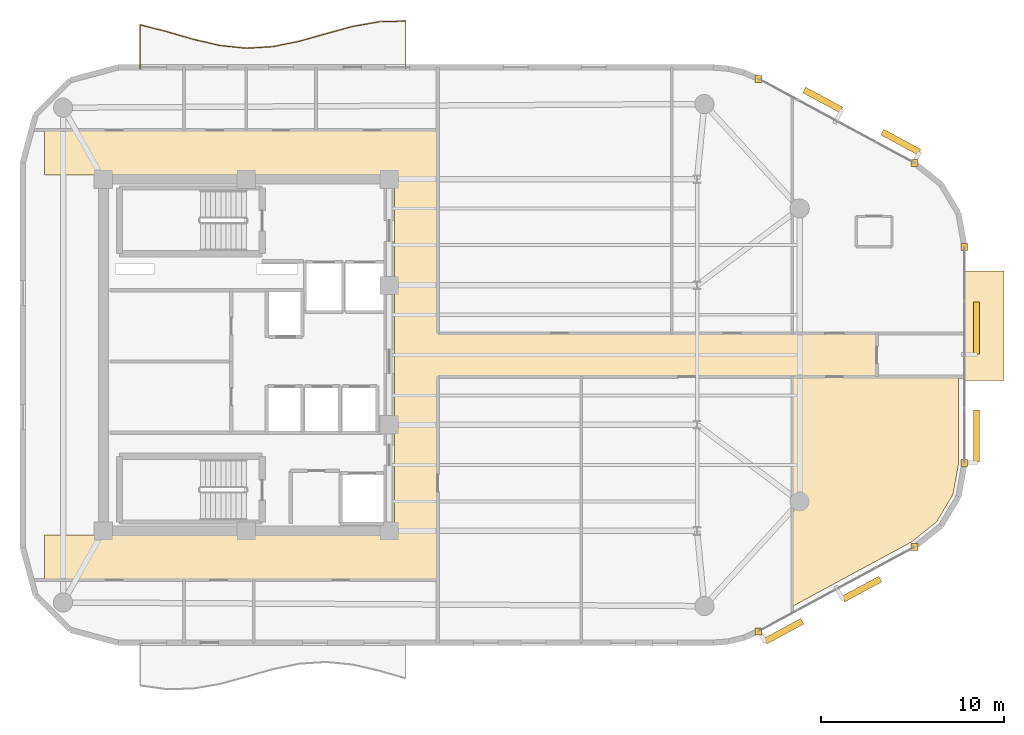
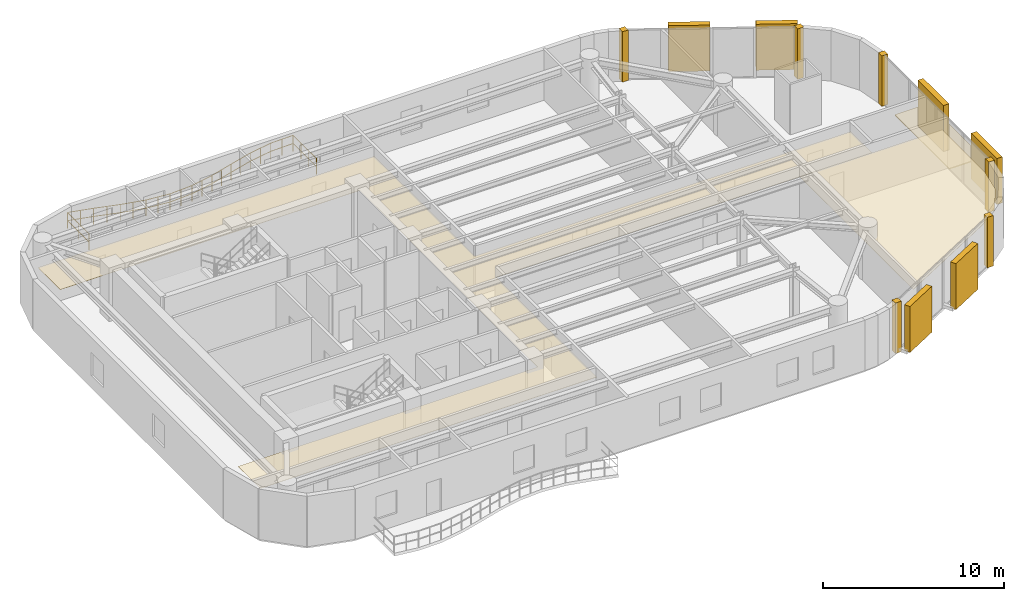
# One storey, part 13 of 13: 9 coverings, 6 shading devices, 1 railing.
"""IFC4 building model written with IfcOpenShell, lengths in metres."""

from ifc_helpers import new_model, si_unit, direction, frame, origin, origin_2d, place, context, subcontext, project, spatial, polyline, rectangle, circle, outline, extrude, material, layer, layer_set, type_object, element, save


model = new_model("IFC4")

# Units and contexts
model_context = context("Model", 3, precision=1e-05, world=origin(), true_north=direction((0.0, 1.0)))
body_context = subcontext(model_context, "Body", "Model", "MODEL_VIEW")
ifc_project = project(units=[si_unit("LENGTHUNIT", "METRE"), si_unit("AREAUNIT", "SQUARE_METRE"), si_unit("VOLUMEUNIT", "CUBIC_METRE"), si_unit("PLANEANGLEUNIT", "RADIAN"), si_unit("MASSUNIT", "GRAM", prefix="KILO")], contexts=[model_context])

# Site, building, storey
site_placement = place(None, origin())
site = spatial("IfcSite", under=ifc_project, at=site_placement, CompositionType="ELEMENT")
building_placement = place(site_placement, origin())
building = spatial("IfcBuilding", under=site, at=building_placement, Name="An Khanh Terracotta Commons", CompositionType="ELEMENT")
storey_placement = place(building_placement, frame((0.0, 0.0, 212.10009765625)))
storey = spatial("IfcBuildingStorey", under=building, at=storey_placement, Name="L55", CompositionType="ELEMENT", Elevation=212.10009765625)

# Coverings
ifc_material_1 = material(Name="Perforated Mineral-Fibre Acoustic Tile")
ifc_layer_1 = layer(ifc_material_1, 0.02001953125, Name="Perforated Mineral-Fibre Acoustic Tile")
ifc_layer_set_1 = layer_set([ifc_layer_1], Name="Perforated Mineral-Fibre Acoustic Tile")
covering_type_1 = type_object("IfcCoveringType", Name="CEIL-ACOUSTIC-18", PredefinedType="CEILING", material=ifc_layer_set_1)
covering_1_placement = place(storey_placement, frame((0.0, 0.0, 2.64990234375)))
element("IfcCovering", 1, at=covering_1_placement, inside=storey, type_object=covering_type_1, Name="L55 Corridor Ceiling", PredefinedType="CEILING", context=body_context, shape_type="SweptSolid", body=[
    extrude(outline(polyline([(18.39990234375, 11.719970703125), (18.39990234375, 14.179931640625), (37.5, 14.179931640625), (37.5, 33.820068359375), (18.39990234375, 33.820068359375), (18.39990234375, 36.280029296875), (37.5, 36.280029296875), (39.85009765625, 36.280029296875), (39.85009765625, 33.820068359375), (39.85009765625, 25.179931640625), (63.800048828125, 25.179931640625), (63.800048828125, 22.820068359375), (39.85009765625, 22.820068359375), (39.85009765625, 14.179931640625), (39.85009765625, 11.719970703125), (37.5, 11.719970703125), (18.39990234375, 11.719970703125)])), origin(), (0.0, 0.0, 1.0), 0.02001953125),
])
covering_2_placement = place(storey_placement, frame((0.0, 0.0, 2.64990234375)))
element("IfcCovering", 2, at=covering_2_placement, inside=storey, type_object=covering_type_1, Name="L55 Riverfront Reading Hall Ceiling", PredefinedType="CEILING", context=body_context, shape_type="SweptSolid", body=[
    extrude(outline(polyline([(68.280029296875, 18.1298828125), (67.964111328125, 16.389892578125), (67.074951171875, 14.89794921875), (65.695068359375, 13.7939453125), (59.199951171875, 10.284912109375), (59.199951171875, 22.820068359375), (63.800048828125, 22.820068359375), (68.280029296875, 22.820068359375), (68.280029296875, 18.1298828125)])), origin(), (0.0, 0.0, 1.0), 0.02001953125),
])
ifc_material_2 = material(Name="Fired Terracotta Rainscreen Cladding", Category="masonry")
ifc_layer_2 = layer(ifc_material_2, 0.080078125, Name="Fired Terracotta Rainscreen Cladding")
ifc_layer_set_2 = layer_set([ifc_layer_2], Name="Fired Terracotta Rainscreen Cladding")
covering_type_2 = type_object("IfcCoveringType", Name="COV-JAMB-TERRA", PredefinedType="CLADDING", material=ifc_layer_set_2)
for number, where, z_axis, x_axis, name in (
    (3, (57.35693359375, 8.925048828125, 0.0), (0.0, 0.0, 1.0), (1.0, 0.0, 0.0), "L55 CW-03 Curtain-Wall Jamb Closure JA"),
    (4, (65.8720703125, 13.52587890625, 0.0), (0.0, 0.0, 1.0), (1.0, 0.0, 0.0), "L55 CW-03 Curtain-Wall Jamb Closure JB"),
    (5, (68.60009765625, 18.10107421875, 0.0), (0.0, 0.0, 1.0), (1.0, 0.0, 0.0), "L55 CW-03 Curtain-Wall Jamb Closure JA"),
    (6, (68.60009765625, 29.89892578125, 0.0), (0.0, 0.0, 1.0), (1.0, 0.0, 0.0), "L55 CW-03 Curtain-Wall Jamb Closure JB"),
    (7, (65.8720703125, 34.47412109375, 0.0), (0.0, 0.0, 1.0), (1.0, 0.0, 0.0), "L55 CW-03 Curtain-Wall Jamb Closure JA"),
    (8, (57.35693359375, 39.074951171875, 0.0), (0.0, 0.0, 1.0), (1.0, 0.0, 0.0), "L55 CW-03 Curtain-Wall Jamb Closure JB"),
):
    element("IfcCovering", number, at=place(storey_placement, frame(where, z_axis=z_axis, x_axis=x_axis)), inside=storey, type_object=covering_type_2, Name=name, PredefinedType="CLADDING", context=body_context, shape_type="SweptSolid", body=[
        extrude(rectangle(XDim=0.3798828125, YDim=0.3798828125, at=origin_2d()), origin(), (0.0, 0.0, 1.0), 3.39990234375),
    ])
ifc_material_3 = material(Name="Planted Garden Waterproofing Membrane")
ifc_layer_3 = layer(ifc_material_3, 0.080078125, Name="Planted Garden Waterproofing Membrane")
ifc_layer_set_3 = layer_set([ifc_layer_3], Name="Planted Garden Waterproofing Membrane")
covering_type_3 = type_object("IfcCoveringType", Name="COV-ROOFING-GREEN", PredefinedType="ROOFING", material=ifc_layer_set_3)
covering_3_placement = place(storey_placement, origin())
element("IfcCovering", 9, at=covering_3_placement, inside=storey, type_object=covering_type_3, Name="L55 Shifted Box Roof Waterproofing (L54)", PredefinedType="ROOFING", context=body_context, shape_type="SweptSolid", body=[
    extrude(outline(polyline([(68.60009765625, 22.60009765625), (70.75, 22.60009765625), (70.75, 28.60009765625), (68.60009765625, 28.60009765625), (68.60009765625, 22.60009765625)])), origin(), (0.0, 0.0, 1.0), 0.059814453125),
])

# Railing
ifc_material_4 = material(Name="Brushed Stainless Steel 316", Category="steel")
railing_type = type_object("IfcRailingType", Name="RAIL-BALUSTRADE-1100", PredefinedType="BALUSTRADE", material=ifc_material_4)
railing_placement = place(storey_placement, frame((38.10009765625, 39.639892578125, 0.0)))
element("IfcRailing", 10, at=railing_placement, inside=storey, type_object=railing_type, Name="L55 N Wave Balcony Guard Balustrade", PredefinedType="BALUSTRADE", context=body_context, shape_type="SweptSolid", body=[
    extrude(circle(Radius=0.02392578125, at=origin_2d()), frame((0.0, 0.0, 1.076171875), z_axis=(0.0, 1.0, 0.0), x_axis=(-1.0, 0.0, 0.0)), (0.0, 0.0, 1.0), 2.586181640625),
    extrude(circle(Radius=0.02392578125, at=origin_2d()), frame((0.0, 0.0, 0.52587890625), z_axis=(0.0, 1.0, 0.0), x_axis=(-1.0, 0.0, 0.0)), (0.0, 0.0, 1.0), 2.586181640625),
    extrude(circle(Radius=0.02392578125, at=origin_2d()), frame((0.0, 2.586181640625, 1.076171875), z_axis=(-0.999655315524, -0.026253573943, 0.0), x_axis=(0.026253573943, -0.999655315524, 0.0)), (0.0, 0.0, 1.0), 1.45068359375),
    extrude(circle(Radius=0.02392578125, at=origin_2d()), frame((0.0, 2.586181640625, 0.52587890625), z_axis=(-0.999655315524, -0.026253573943, 0.0), x_axis=(0.026253573943, -0.999655315524, 0.0)), (0.0, 0.0, 1.0), 1.45068359375),
    extrude(circle(Radius=0.02392578125, at=origin_2d()), frame((-1.4501953125, 2.548095703125, 1.076171875), z_axis=(-0.984643037785, -0.174579747228, 0.0), x_axis=(0.174579747228, -0.984643037785, 0.0)), (0.0, 0.0, 1.0), 1.47265625),
    extrude(circle(Radius=0.02392578125, at=origin_2d()), frame((-1.4501953125, 2.548095703125, 0.52587890625), z_axis=(-0.984643037785, -0.174579747228, 0.0), x_axis=(0.174579747228, -0.984643037785, 0.0)), (0.0, 0.0, 1.0), 1.47265625),
    extrude(circle(Radius=0.02392578125, at=origin_2d()), frame((-2.900146484375, 2.291015625, 1.076171875), z_axis=(-0.964504761538, -0.264065455845, 0.0), x_axis=(0.264065455845, -0.964504761538, 0.0)), (0.0, 0.0, 1.0), 1.50341796875),
    extrude(circle(Radius=0.02392578125, at=origin_2d()), frame((-2.900146484375, 2.291015625, 0.52587890625), z_axis=(-0.964504761538, -0.264065455845, 0.0), x_axis=(0.264065455845, -0.964504761538, 0.0)), (0.0, 0.0, 1.0), 1.50341796875),
    extrude(circle(Radius=0.02392578125, at=origin_2d()), frame((-4.35009765625, 1.89404296875, 1.076171875), z_axis=(-0.962284509869, -0.272045073593, 0.0), x_axis=(0.272045073593, -0.962284509869, 0.0)), (0.0, 0.0, 1.0), 1.5068359375),
    extrude(circle(Radius=0.02392578125, at=origin_2d()), frame((-4.35009765625, 1.89404296875, 0.52587890625), z_axis=(-0.962284509869, -0.272045073593, 0.0), x_axis=(0.272045073593, -0.962284509869, 0.0)), (0.0, 0.0, 1.0), 1.5068359375),
    extrude(circle(Radius=0.02392578125, at=origin_2d()), frame((-5.800048828125, 1.484130859375, 1.076171875), z_axis=(-0.979934477389, -0.1993198937, 0.0), x_axis=(0.1993198937, -0.979934477389, 0.0)), (0.0, 0.0, 1.0), 1.479736328125),
    extrude(circle(Radius=0.02392578125, at=origin_2d()), frame((-5.800048828125, 1.484130859375, 0.52587890625), z_axis=(-0.979934477389, -0.1993198937, 0.0), x_axis=(0.1993198937, -0.979934477389, 0.0)), (0.0, 0.0, 1.0), 1.479736328125),
    extrude(circle(Radius=0.02392578125, at=origin_2d()), frame((-7.25, 1.189208984375, 1.076171875), z_axis=(-0.998198812421, -0.059992756908, 0.0), x_axis=(0.059992756908, -0.998198812421, 0.0)), (0.0, 0.0, 1.0), 1.452880859375),
    extrude(circle(Radius=0.02392578125, at=origin_2d()), frame((-7.25, 1.189208984375, 0.52587890625), z_axis=(-0.998198812421, -0.059992756908, 0.0), x_axis=(0.059992756908, -0.998198812421, 0.0)), (0.0, 0.0, 1.0), 1.452880859375),
    extrude(circle(Radius=0.02392578125, at=origin_2d()), frame((-8.7001953125, 1.10205078125, 1.076171875), z_axis=(-0.994681148417, 0.103002004761, 0.0), x_axis=(-0.103002004761, -0.994681148417, 0.0)), (0.0, 0.0, 1.0), 1.457763671875),
    extrude(circle(Radius=0.02392578125, at=origin_2d()), frame((-8.7001953125, 1.10205078125, 0.52587890625), z_axis=(-0.994681148417, 0.103002004761, 0.0), x_axis=(-0.103002004761, -0.994681148417, 0.0)), (0.0, 0.0, 1.0), 1.457763671875),
    extrude(circle(Radius=0.02392578125, at=origin_2d()), frame((-10.150146484375, 1.252197265625, 1.076171875), z_axis=(-0.973905278817, 0.226954858711, 0.0), x_axis=(-0.226954858711, -0.973905278817, 0.0)), (0.0, 0.0, 1.0), 1.48876953125),
    extrude(circle(Radius=0.02392578125, at=origin_2d()), frame((-10.150146484375, 1.252197265625, 0.52587890625), z_axis=(-0.973905278817, 0.226954858711, 0.0), x_axis=(-0.226954858711, -0.973905278817, 0.0)), (0.0, 0.0, 1.0), 1.48876953125),
    extrude(circle(Radius=0.02392578125, at=origin_2d()), frame((-11.60009765625, 1.590087890625, 1.076171875), z_axis=(-0.960356002851, 0.278776519434, 0.0), x_axis=(-0.278776519434, -0.960356002851, 0.0)), (0.0, 0.0, 1.0), 1.509765625),
    extrude(circle(Radius=0.02392578125, at=origin_2d()), frame((-11.60009765625, 1.590087890625, 0.52587890625), z_axis=(-0.960356002851, 0.278776519434, 0.0), x_axis=(-0.278776519434, -0.960356002851, 0.0)), (0.0, 0.0, 1.0), 1.509765625),
    extrude(circle(Radius=0.02392578125, at=origin_2d()), frame((-13.050048828125, 2.010986328125, 1.076171875), z_axis=(-0.969087243923, 0.246718288064, 0.0), x_axis=(-0.246718288064, -0.969087243923, 0.0)), (0.0, 0.0, 1.0), 1.49609375),
    extrude(circle(Radius=0.02392578125, at=origin_2d()), frame((-13.050048828125, 2.010986328125, 0.52587890625), z_axis=(-0.969087243923, 0.246718288064, 0.0), x_axis=(-0.246718288064, -0.969087243923, 0.0)), (0.0, 0.0, 1.0), 1.49609375),
    extrude(circle(Radius=0.02392578125, at=origin_2d()), frame((-14.5, 2.380126953125, 1.076171875), z_axis=(0.0, -1.0, 0.0), x_axis=(1.0, 0.0, 0.0)), (0.0, 0.0, 1.0), 2.380126953125),
    extrude(circle(Radius=0.02392578125, at=origin_2d()), frame((-14.5, 2.380126953125, 0.52587890625), z_axis=(0.0, -1.0, 0.0), x_axis=(1.0, 0.0, 0.0)), (0.0, 0.0, 1.0), 2.380126953125),
    extrude(circle(Radius=0.02099609375, at=origin_2d()), origin(), (0.0, 0.0, 1.0), 1.052001953125),
    extrude(circle(Radius=0.02099609375, at=origin_2d()), frame((0.0, 0.862060546875, 0.0)), (0.0, 0.0, 1.0), 1.052001953125),
    extrude(circle(Radius=0.02099609375, at=origin_2d()), frame((0.0, 1.72412109375, 0.0)), (0.0, 0.0, 1.0), 1.052001953125),
    extrude(circle(Radius=0.02099609375, at=origin_2d()), frame((0.0, 2.586181640625, 0.0)), (0.0, 0.0, 1.0), 1.052001953125),
    extrude(circle(Radius=0.02099609375, at=origin_2d()), frame((-0.72509765625, 2.567138671875, 0.0)), (0.0, 0.0, 1.0), 1.052001953125),
    extrude(circle(Radius=0.02099609375, at=origin_2d()), frame((-1.4501953125, 2.548095703125, 0.0)), (0.0, 0.0, 1.0), 1.052001953125),
    extrude(circle(Radius=0.02099609375, at=origin_2d()), frame((-2.17529296875, 2.41943359375, 0.0)), (0.0, 0.0, 1.0), 1.052001953125),
    extrude(circle(Radius=0.02099609375, at=origin_2d()), frame((-2.900146484375, 2.291015625, 0.0)), (0.0, 0.0, 1.0), 1.052001953125),
    extrude(circle(Radius=0.02099609375, at=origin_2d()), frame((-3.625, 2.092529296875, 0.0)), (0.0, 0.0, 1.0), 1.052001953125),
    extrude(circle(Radius=0.02099609375, at=origin_2d()), frame((-4.35009765625, 1.89404296875, 0.0)), (0.0, 0.0, 1.0), 1.052001953125),
    extrude(circle(Radius=0.02099609375, at=origin_2d()), frame((-5.0751953125, 1.68896484375, 0.0)), (0.0, 0.0, 1.0), 1.052001953125),
    extrude(circle(Radius=0.02099609375, at=origin_2d()), frame((-5.800048828125, 1.484130859375, 0.0)), (0.0, 0.0, 1.0), 1.052001953125),
    extrude(circle(Radius=0.02099609375, at=origin_2d()), frame((-6.52490234375, 1.336669921875, 0.0)), (0.0, 0.0, 1.0), 1.052001953125),
    extrude(circle(Radius=0.02099609375, at=origin_2d()), frame((-7.25, 1.189208984375, 0.0)), (0.0, 0.0, 1.0), 1.052001953125),
    extrude(circle(Radius=0.02099609375, at=origin_2d()), frame((-7.97509765625, 1.1455078125, 0.0)), (0.0, 0.0, 1.0), 1.052001953125),
    extrude(circle(Radius=0.02099609375, at=origin_2d()), frame((-8.7001953125, 1.10205078125, 0.0)), (0.0, 0.0, 1.0), 1.052001953125),
    extrude(circle(Radius=0.02099609375, at=origin_2d()), frame((-9.42529296875, 1.17724609375, 0.0)), (0.0, 0.0, 1.0), 1.052001953125),
    extrude(circle(Radius=0.02099609375, at=origin_2d()), frame((-10.150146484375, 1.252197265625, 0.0)), (0.0, 0.0, 1.0), 1.052001953125),
    extrude(circle(Radius=0.02099609375, at=origin_2d()), frame((-10.875, 1.421142578125, 0.0)), (0.0, 0.0, 1.0), 1.052001953125),
    extrude(circle(Radius=0.02099609375, at=origin_2d()), frame((-11.60009765625, 1.590087890625, 0.0)), (0.0, 0.0, 1.0), 1.052001953125),
    extrude(circle(Radius=0.02099609375, at=origin_2d()), frame((-12.3251953125, 1.800537109375, 0.0)), (0.0, 0.0, 1.0), 1.052001953125),
    extrude(circle(Radius=0.02099609375, at=origin_2d()), frame((-13.050048828125, 2.010986328125, 0.0)), (0.0, 0.0, 1.0), 1.052001953125),
    extrude(circle(Radius=0.02099609375, at=origin_2d()), frame((-13.77490234375, 2.195556640625, 0.0)), (0.0, 0.0, 1.0), 1.052001953125),
    extrude(circle(Radius=0.02099609375, at=origin_2d()), frame((-14.5, 2.380126953125, 0.0)), (0.0, 0.0, 1.0), 1.052001953125),
    extrude(circle(Radius=0.02099609375, at=origin_2d()), frame((-14.5, 1.18994140625, 0.0)), (0.0, 0.0, 1.0), 1.052001953125),
    extrude(circle(Radius=0.02099609375, at=origin_2d()), frame((-14.5, 0.0, 0.0)), (0.0, 0.0, 1.0), 1.052001953125),
])

# Shading devices
ifc_material_5 = material(Name="Extruded Fired Terracotta", Category="masonry")
shading_device_type = type_object("IfcShadingDeviceType", Name="Terracotta Baguette Screen Assembly", PredefinedType="USERDEFINED", material=ifc_material_5)
for number, where, z_axis, x_axis, name in (
    (11, (58.72998046875, 8.927978515625, 0.14990234375), (0.0, 0.0, 1.0), (0.879780095306, 0.47538088298, 0.0), "L55 Terracotta Baguette Screen 1"),
    (12, (62.988037109375, 11.22900390625, 0.14990234375), (0.0, 0.0, 1.0), (0.879780095306, 0.47538088298, 0.0), "L55 Terracotta Baguette Screen 3"),
):
    element("IfcShadingDevice", number, at=place(storey_placement, frame(where, z_axis=z_axis, x_axis=x_axis)), inside=storey, type_object=shading_device_type, Name=name, ObjectType="BAGUETTE", PredefinedType="USERDEFINED", context=body_context, shape_type="SweptSolid", body=[
        extrude(rectangle(XDim=2.300048828125, YDim=0.35009765625, at=origin_2d()), origin(), (0.0, 0.0, 1.0), 3.10009765625),
    ])
for number, where, z_axis, x_axis, name in (
    (13, (69.25, 19.575927734375, 0.14990234375), (0.0, 0.0, 1.0), (0.0, 1.0, 0.0), "L55 Terracotta Baguette Screen 1"),
    (14, (69.25, 25.47509765625, 0.14990234375), (0.0, 0.0, 1.0), (0.0, 1.0, 0.0), "L55 Terracotta Baguette Screen 3"),
):
    element("IfcShadingDevice", number, at=place(storey_placement, frame(where, z_axis=z_axis, x_axis=x_axis)), inside=storey, type_object=shading_device_type, Name=name, ObjectType="BAGUETTE", PredefinedType="USERDEFINED", context=body_context, shape_type="SweptSolid", body=[
        extrude(rectangle(XDim=2.830078125, YDim=0.35009765625, at=origin_2d()), origin(), (0.0, 0.0, 1.0), 3.10009765625),
    ])
for number, where, z_axis, x_axis, name in (
    (15, (65.116943359375, 35.62109375, 0.14990234375), (0.0, 0.0, 1.0), (-0.879780095306, 0.47538088298, 0.0), "L55 Terracotta Baguette Screen 1"),
    (16, (60.85888671875, 37.9208984375, 0.14990234375), (0.0, 0.0, 1.0), (-0.879780095306, 0.47538088298, 0.0), "L55 Terracotta Baguette Screen 3"),
):
    element("IfcShadingDevice", number, at=place(storey_placement, frame(where, z_axis=z_axis, x_axis=x_axis)), inside=storey, type_object=shading_device_type, Name=name, ObjectType="BAGUETTE", PredefinedType="USERDEFINED", context=body_context, shape_type="SweptSolid", body=[
        extrude(rectangle(XDim=2.300048828125, YDim=0.35009765625, at=origin_2d()), origin(), (0.0, 0.0, 1.0), 3.10009765625),
    ])

save(model, "model.ifc")
